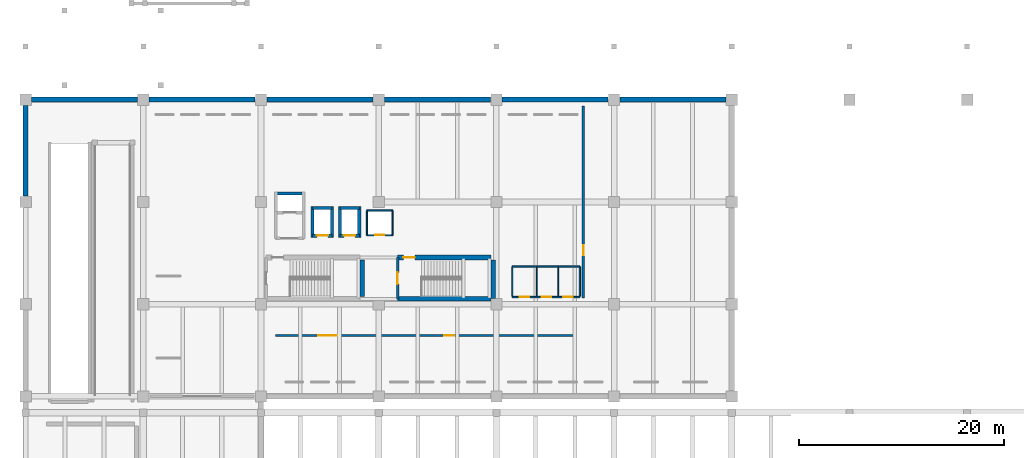
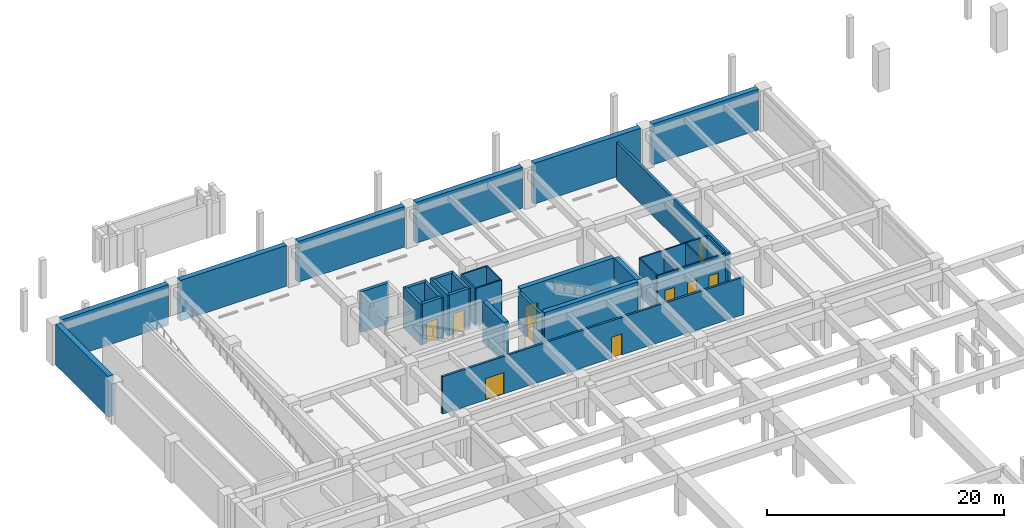
# One storey, part 12 of 20: 33 walls, 11 doors, 11 openings.
"""IFC4 building model written with IfcOpenShell, lengths in metres."""

from ifc_helpers import new_model, si_unit, direction, frame, frame_2d, origin, place, context, subcontext, project, spatial, rectangle, extrude, material, layer, layer_set, type_object, element, fill, save


model = new_model("IFC4")

# Units and contexts
model_context = context("Model", 3, precision=1e-05, world=origin(), true_north=direction((0.0, 1.0)))
body_context = subcontext(model_context, "Body", "Model", "MODEL_VIEW")
ifc_project = project(units=[si_unit("LENGTHUNIT", "METRE"), si_unit("AREAUNIT", "SQUARE_METRE"), si_unit("VOLUMEUNIT", "CUBIC_METRE"), si_unit("PLANEANGLEUNIT", "RADIAN"), si_unit("MASSUNIT", "GRAM", prefix="KILO")], contexts=[model_context])

# Site, building, storey
site_placement = place(None, origin())
site = spatial("IfcSite", under=ifc_project, at=site_placement, CompositionType="ELEMENT")
building_placement = place(site_placement, origin())
building = spatial("IfcBuilding", under=site, at=building_placement, Name="Ologun Quay Terminus", CompositionType="ELEMENT")
storey_placement = place(building_placement, frame((0.0, 0.0, -4.199951171875)))
storey = spatial("IfcBuildingStorey", under=building, at=storey_placement, Name="B01", CompositionType="ELEMENT", Elevation=-4.199951171875)

# Walls
ifc_material_1 = material(Name="Concrete C35/45", Category="concrete")
ifc_layer_1 = layer(ifc_material_1, 0.5)
ifc_layer_set_1 = layer_set([ifc_layer_1], Name="Concrete C35/45")
wall_type_1 = type_object("IfcWallType", Name="Basement Perimeter Retaining Wall 500", PredefinedType="SHEAR", material=ifc_layer_set_1)
wall_1_placement = place(storey_placement, frame((0.0, 105.3701171875, 0.0), z_axis=(0.0, 0.0, 1.0), x_axis=(0.0, 1.0, 0.0)))
element("IfcWall", 1, at=wall_1_placement, inside=storey, type_object=wall_type_1, Name="Retaining Wall WG-Y8 B01", PredefinedType="SHEAR", context=body_context, shape_type="SweptSolid", body=[
    extrude(rectangle(XDim=8.85986328125, YDim=0.5, at=frame_2d((4.429931640625, 0.0))), origin(), (0.0, 0.0, 1.0), 4.199951171875),
])
for number, where, z_axis, x_axis, name in (
    (2, (0.570068359375, 114.800048828125, 0.0), (0.0, 0.0, 1.0), (1.0, 0.0, 0.0), "Retaining Wall NW-1 B01"),
    (3, (12.070068359375, 114.800048828125, 0.0), (0.0, 0.0, 1.0), (1.0, 0.0, 0.0), "Retaining Wall NW-2 B01"),
    (4, (23.570068359375, 114.800048828125, 0.0), (0.0, 0.0, 1.0), (1.0, 0.0, 0.0), "Retaining Wall NW-3 B01"),
    (5, (35.070068359375, 114.800048828125, 0.0), (0.0, 0.0, 1.0), (1.0, 0.0, 0.0), "Retaining Wall NW-4 B01"),
    (6, (46.570068359375, 114.800048828125, 0.0), (0.0, 0.0, 1.0), (1.0, 0.0, 0.0), "Retaining Wall NW-5 B01"),
    (7, (58.070068359375, 114.800048828125, 0.0), (0.0, 0.0, 1.0), (1.0, 0.0, 0.0), "Retaining Wall NW-6 B01"),
):
    element("IfcWall", number, at=place(storey_placement, frame(where, z_axis=z_axis, x_axis=x_axis)), inside=storey, type_object=wall_type_1, Name=name, PredefinedType="SHEAR", context=body_context, shape_type="SweptSolid", body=[
        extrude(rectangle(XDim=10.35986328125, YDim=0.5, at=frame_2d((5.179931640625, 0.0))), origin(), (0.0, 0.0, 1.0), 4.199951171875),
    ])

# Wall, openings, doors
ifc_material_2 = material(Name="Concrete C40/50", Category="concrete")
ifc_layer_2 = layer(ifc_material_2, 0.199951171875)
ifc_layer_set_2 = layer_set([ifc_layer_2], Name="Concrete C40/50")
wall_type_2 = type_object("IfcWallType", Name="Corridor Fire-Rated Partition 200", PredefinedType="PARTITIONING", material=ifc_layer_set_2)
wall_2_placement = place(storey_placement, frame((24.39990234375, 91.75, 0.0), z_axis=(0.0, 0.0, 1.0), x_axis=(1.0, 0.0, 0.0)))
wall_2 = element("IfcWall", 8, at=wall_2_placement, inside=storey, type_object=wall_type_2, Name="PW-02 Partition WCor-S", PredefinedType="PARTITIONING", context=body_context, shape_type="SweptSolid", body=[
    extrude(rectangle(XDim=29.400146484375, YDim=0.199951171875, at=frame_2d((14.7001953125, 0.0))), origin(), (0.0, 0.0, 1.0), 3.85986328125),
])
opening_1_placement = place(wall_2_placement, frame((4.199951171875, 0.0, 0.0)))
opening_1 = element("IfcOpeningElement", 9, at=opening_1_placement, cuts=wall_2, Name="Opening ID-086", PredefinedType="OPENING", context=body_context, shape_type="SweptSolid", body=[
    extrude(rectangle(XDim=1.800048828125, YDim=2.199951171875, at=frame_2d((0.89990234375, 1.10009765625))), frame((0.0, 0.10986328125, 0.0), z_axis=(0.0, -1.0, 0.0), x_axis=(1.0, 0.0, 0.0)), (0.0, 0.0, 1.0), 0.219970703125),
])
opening_2_placement = place(wall_2_placement, frame((16.5, 0.0, 0.0)))
opening_2 = element("IfcOpeningElement", 10, at=opening_2_placement, cuts=wall_2, Name="Opening ID-087", PredefinedType="OPENING", context=body_context, shape_type="SweptSolid", body=[
    extrude(rectangle(XDim=0.97998046875, YDim=2.14990234375, at=frame_2d((0.489990234375, 1.074951171875))), frame((0.0, 0.10986328125, 0.0), z_axis=(0.0, -1.0, 0.0), x_axis=(1.0, 0.0, 0.0)), (0.0, 0.0, 1.0), 0.219970703125),
])
ifc_material_3 = material(Name="Steel S355", Category="steel")
door_type_1 = type_object("IfcDoorType", Name="Corridor Compartment Pair 1800x2200", OperationType="DOUBLE_DOOR_SINGLE_SWING", PredefinedType="DOOR", material=ifc_material_3)
door_1_placement = place(opening_1_placement, origin())
door_1 = element("IfcDoor", 11, at=door_1_placement, inside=storey, type_object=door_type_1, Name="FD-03 Door ID-086", OperationType="DOUBLE_DOOR_SINGLE_SWING", OverallHeight=2.199951171875, OverallWidth=1.800048828125, PredefinedType="DOOR", context=body_context, shape_type="SweptSolid", body=[
    extrude(rectangle(XDim=1.800048828125, YDim=2.199951171875, at=frame_2d((0.89990234375, 1.10009765625))), frame((0.0, 0.02490234375, 0.0), z_axis=(0.0, -1.0, 0.0), x_axis=(1.0, 0.0, 0.0)), (0.0, 0.0, 1.0), 0.050048828125),
])
fill(opening_1, door_1)
ifc_material_4 = material(Name="Timber Hardwood", Category="wood")
door_type_2 = type_object("IfcDoorType", Name="Operations Room Acoustic Leaf 980x2150", OperationType="SINGLE_SWING_LEFT", PredefinedType="DOOR", material=ifc_material_4)
door_2_placement = place(opening_2_placement, origin())
door_2 = element("IfcDoor", 12, at=door_2_placement, inside=storey, type_object=door_type_2, Name="ID-01 Door ID-087", OperationType="SINGLE_SWING_LEFT", OverallHeight=2.14990234375, OverallWidth=0.97998046875, PredefinedType="DOOR", context=body_context, shape_type="SweptSolid", body=[
    extrude(rectangle(XDim=0.97998046875, YDim=2.14990234375, at=frame_2d((0.489990234375, 1.074951171875))), frame((0.0, 0.02490234375, 0.0), z_axis=(0.0, -1.0, 0.0), x_axis=(1.0, 0.0, 0.0)), (0.0, 0.0, 1.0), 0.050048828125),
])
fill(opening_2, door_2)

# Walls
ifc_material_5 = material(Name="Concrete C45/55", Category="concrete")
ifc_layer_3 = layer(ifc_material_5, 0.449951171875)
ifc_layer_set_3 = layer_set([ifc_layer_3], Name="Concrete C45/55")
wall_type_3 = type_object("IfcWallType", Name="Coupled Wing Primary Core Shear Wall 450", PredefinedType="SHEAR", material=ifc_layer_set_3)
wall_3_placement = place(storey_placement, frame((32.875, 95.550048828125, 0.0), z_axis=(0.0, 0.0, 1.0), x_axis=(0.0, 1.0, 0.0)))
element("IfcWall", 13, at=wall_3_placement, inside=storey, type_object=wall_type_3, Name="WC1 Core East Shear Wall B01", PredefinedType="SHEAR", context=body_context, shape_type="SweptSolid", body=[
    extrude(rectangle(XDim=3.599853515625, YDim=0.449951171875, at=frame_2d((1.7998046875, 0.0))), origin(), (0.0, 0.0, 1.0), 4.199951171875),
])
wall_4_placement = place(storey_placement, frame((36.35009765625, 95.324951171875, 0.0), z_axis=(0.0, 0.0, 1.0), x_axis=(1.0, 0.0, 0.0)))
element("IfcWall", 14, at=wall_4_placement, inside=storey, type_object=wall_type_3, Name="WC2 Core South Shear Wall B01", PredefinedType="SHEAR", context=body_context, shape_type="SweptSolid", body=[
    extrude(rectangle(XDim=9.099853515625, YDim=0.449951171875, at=frame_2d((4.5498046875, 0.0))), origin(), (0.0, 0.0, 1.0), 4.199951171875),
])

# Wall, opening, door
wall_5_placement = place(storey_placement, frame((36.35009765625, 99.375, 0.0), z_axis=(0.0, 0.0, 1.0), x_axis=(1.0, 0.0, 0.0)))
wall_5 = element("IfcWall", 15, at=wall_5_placement, inside=storey, type_object=wall_type_3, Name="WC2 Core North Shear Wall B01", PredefinedType="SHEAR", context=body_context, shape_type="SweptSolid", body=[
    extrude(rectangle(XDim=9.099853515625, YDim=0.449951171875, at=frame_2d((4.5498046875, 0.0))), origin(), (0.0, 0.0, 1.0), 4.199951171875),
])
opening_3_placement = place(wall_5_placement, frame((0.550048828125, 0.0, 0.0)))
opening_3 = element("IfcOpeningElement", 16, at=opening_3_placement, cuts=wall_5, Name="Opening ID-080", PredefinedType="OPENING", context=body_context, shape_type="SweptSolid", body=[
    extrude(rectangle(XDim=1.1298828125, YDim=2.14990234375, at=frame_2d((0.56494140625, 1.074951171875))), frame((0.0, 0.23486328125, 0.0), z_axis=(0.0, -1.0, 0.0), x_axis=(1.0, 0.0, 0.0)), (0.0, 0.0, 1.0), 0.469970703125),
])
ifc_material_6 = material(Name="Steel S355", Category="steel")
door_type_3 = type_object("IfcDoorType", Name="Stairwell Fire Escape Door 1130x2150", OperationType="SINGLE_SWING_LEFT", PredefinedType="DOOR", material=ifc_material_6)
door_3_placement = place(opening_3_placement, frame((0.56494140625, 0.0, 0.0), z_axis=(0.0, 0.0, 1.0), x_axis=(-1.0, 0.0, 0.0)))
door_3 = element("IfcDoor", 17, at=door_3_placement, inside=storey, type_object=door_type_3, Name="FD-01 Door ID-080", OperationType="SINGLE_SWING_LEFT", OverallHeight=2.14990234375, OverallWidth=1.1298828125, PredefinedType="DOOR", context=body_context, shape_type="SweptSolid", body=[
    extrude(rectangle(XDim=1.1298828125, YDim=2.14990234375, at=frame_2d((0.0, 1.074951171875))), frame((0.0, 0.02490234375, 0.0), z_axis=(0.0, -1.0, 0.0), x_axis=(1.0, 0.0, 0.0)), (0.0, 0.0, 1.0), 0.050048828125),
])
fill(opening_3, door_3)

# Wall
wall_6_placement = place(storey_placement, frame((45.675048828125, 95.3701171875, 0.0), z_axis=(0.0, 0.0, 1.0), x_axis=(0.0, 1.0, 0.0)))
element("IfcWall", 18, at=wall_6_placement, inside=storey, type_object=wall_type_3, Name="WC2 Core East Shear Wall B01", PredefinedType="SHEAR", context=body_context, shape_type="SweptSolid", body=[
    extrude(rectangle(XDim=3.77978515625, YDim=0.449951171875, at=frame_2d((1.889892578125, 0.0))), origin(), (0.0, 0.0, 1.0), 4.199951171875),
])

# Wall, opening, door
ifc_material_7 = material(Name="Concrete C40/50", Category="concrete")
ifc_layer_4 = layer(ifc_material_7, 0.239990234375)
ifc_layer_set_4 = layer_set([ifc_layer_4], Name="Concrete C40/50")
wall_type_4 = type_object("IfcWallType", Name="Fire Compartment Blockwork Wall 240", PredefinedType="SOLIDWALL", material=ifc_layer_set_4)
wall_7_placement = place(storey_placement, frame((36.35009765625, 95.330078125, 0.0), z_axis=(0.0, 0.0, 1.0), x_axis=(0.0, 1.0, 0.0)))
wall_7 = element("IfcWall", 19, at=wall_7_placement, inside=storey, type_object=wall_type_4, Name="PW-01 Partition WStair2-W", PredefinedType="SOLIDWALL", context=body_context, shape_type="SweptSolid", body=[
    extrude(rectangle(XDim=4.0400390625, YDim=0.239990234375, at=frame_2d((2.02001953125, 0.0))), origin(), (0.0, 0.0, 1.0), 3.85986328125),
])
opening_4_placement = place(wall_7_placement, frame((1.449951171875, 0.0, 0.0)))
opening_4 = element("IfcOpeningElement", 20, at=opening_4_placement, cuts=wall_7, Name="Opening ID-079", PredefinedType="OPENING", context=body_context, shape_type="SweptSolid", body=[
    extrude(rectangle(XDim=1.1298828125, YDim=2.14990234375, at=frame_2d((0.56494140625, 1.074951171875))), frame((0.0, 0.1298828125, 0.0), z_axis=(0.0, -1.0, 0.0), x_axis=(1.0, 0.0, 0.0)), (0.0, 0.0, 1.0), 0.260009765625),
])
door_4_placement = place(opening_4_placement, frame((0.56494140625, 0.0, 0.0), z_axis=(0.0, 0.0, 1.0), x_axis=(-1.0, 0.0, 0.0)))
door_4 = element("IfcDoor", 21, at=door_4_placement, inside=storey, type_object=door_type_3, Name="FD-01 Door ID-079", OperationType="SINGLE_SWING_LEFT", OverallHeight=2.14990234375, OverallWidth=1.1298828125, PredefinedType="DOOR", context=body_context, shape_type="SweptSolid", body=[
    extrude(rectangle(XDim=1.1298828125, YDim=2.14990234375, at=frame_2d((0.0, 1.074951171875))), frame((0.0, 0.02490234375, 0.0), z_axis=(0.0, -1.0, 0.0), x_axis=(1.0, 0.0, 0.0)), (0.0, 0.0, 1.0), 0.050048828125),
])
fill(opening_4, door_4)

wall_8_placement = place(storey_placement, frame((54.5, 95.39990234375, 0.0), z_axis=(0.0, 0.0, 1.0), x_axis=(0.0, 1.0, 0.0)))
wall_8 = element("IfcWall", 22, at=wall_8_placement, inside=storey, type_object=wall_type_4, Name="PW-01 Partition B01-Store-W", PredefinedType="SOLIDWALL", context=body_context, shape_type="SweptSolid", body=[
    extrude(rectangle(XDim=18.800048828125, YDim=0.239990234375, at=frame_2d((9.39990234375, 0.0))), origin(), (0.0, 0.0, 1.0), 3.85986328125),
])
opening_5_placement = place(wall_8_placement, frame((4.199951171875, 0.0, 0.0)))
opening_5 = element("IfcOpeningElement", 23, at=opening_5_placement, cuts=wall_8, Name="Opening ID-293", PredefinedType="OPENING", context=body_context, shape_type="SweptSolid", body=[
    extrude(rectangle(XDim=0.9599609375, YDim=2.10009765625, at=frame_2d((0.47998046875, 1.050048828125))), frame((0.0, 0.1298828125, 0.0), z_axis=(0.0, -1.0, 0.0), x_axis=(1.0, 0.0, 0.0)), (0.0, 0.0, 1.0), 0.260009765625),
])
ifc_material_8 = material(Name="Timber Hardwood", Category="wood")
door_type_4 = type_object("IfcDoorType", Name="Store & Pantry Service Door 960x2100", OperationType="SINGLE_SWING_RIGHT", PredefinedType="DOOR", material=ifc_material_8)
door_5_placement = place(opening_5_placement, origin())
door_5 = element("IfcDoor", 24, at=door_5_placement, inside=storey, type_object=door_type_4, Name="ID-18 Door ID-293", OperationType="SINGLE_SWING_RIGHT", OverallHeight=2.10009765625, OverallWidth=0.9599609375, PredefinedType="DOOR", context=body_context, shape_type="SweptSolid", body=[
    extrude(rectangle(XDim=0.9599609375, YDim=2.10009765625, at=frame_2d((0.47998046875, 1.050048828125))), frame((0.0, 0.02490234375, 0.0), z_axis=(0.0, -1.0, 0.0), x_axis=(1.0, 0.0, 0.0)), (0.0, 0.0, 1.0), 0.050048828125),
])
fill(opening_5, door_5)

# Wall
ifc_material_9 = material(Name="Concrete C40/50", Category="concrete")
ifc_layer_5 = layer(ifc_material_9, 0.300048828125)
ifc_layer_set_5 = layer_set([ifc_layer_5], Name="Concrete C40/50")
wall_type_5 = type_object("IfcWallType", Name="Lift Shaft Structural Shear Wall 300", PredefinedType="SHEAR", material=ifc_layer_set_5)
wall_9_placement = place(storey_placement, frame((24.449951171875, 105.6201171875, 0.0), z_axis=(0.0, 0.0, 1.0), x_axis=(1.0, 0.0, 0.0)))
element("IfcWall", 25, at=wall_9_placement, inside=storey, type_object=wall_type_5, Name="Lift FFL-01 Shaft Wall N B01", PredefinedType="SHEAR", context=body_context, shape_type="SweptSolid", body=[
    extrude(rectangle(XDim=2.699951171875, YDim=0.300048828125, at=frame_2d((1.35009765625, 0.0))), origin(), (0.0, 0.0, 1.0), 4.199951171875),
])

# Wall, opening, door
wall_10_placement = place(storey_placement, frame((28.050048828125, 101.5, 0.0), z_axis=(0.0, 0.0, 1.0), x_axis=(1.0, 0.0, 0.0)))
wall_10 = element("IfcWall", 26, at=wall_10_placement, inside=storey, type_object=wall_type_5, Name="Lift PL-W1 Shaft Wall S B01", PredefinedType="SHEAR", context=body_context, shape_type="SweptSolid", body=[
    extrude(rectangle(XDim=1.89990234375, YDim=0.300048828125, at=frame_2d((0.949951171875, 0.0))), origin(), (0.0, 0.0, 1.0), 4.199951171875),
])
opening_6_placement = place(wall_10_placement, frame((0.39990234375, 0.0, 0.0)))
opening_6 = element("IfcOpeningElement", 27, at=opening_6_placement, cuts=wall_10, Name="Opening ID-017", PredefinedType="OPENING", context=body_context, shape_type="SweptSolid", body=[
    extrude(rectangle(XDim=1.10009765625, YDim=2.14990234375, at=frame_2d((0.550048828125, 1.074951171875))), frame((0.0, 0.16015625, 0.0), z_axis=(0.0, -1.0, 0.0), x_axis=(1.0, 0.0, 0.0)), (0.0, 0.0, 1.0), 0.320068359375),
])
ifc_material_10 = material(Name="Steel S355", Category="steel")
door_type_5 = type_object("IfcDoorType", Name="Lift Landing Sliding Door 1100x2150", OperationType="SLIDING_TO_LEFT", PredefinedType="DOOR", material=ifc_material_10)
door_6_placement = place(opening_6_placement, origin())
door_6 = element("IfcDoor", 28, at=door_6_placement, inside=storey, type_object=door_type_5, Name="LD-01 Door ID-017", OperationType="SLIDING_TO_LEFT", OverallHeight=2.14990234375, OverallWidth=1.10009765625, PredefinedType="DOOR", context=body_context, shape_type="SweptSolid", body=[
    extrude(rectangle(XDim=1.10009765625, YDim=2.14990234375, at=frame_2d((0.550048828125, 1.074951171875))), frame((0.0, 0.02490234375, 0.0), z_axis=(0.0, -1.0, 0.0), x_axis=(1.0, 0.0, 0.0)), (0.0, 0.0, 1.0), 0.050048828125),
])
fill(opening_6, door_6)

# Walls
wall_11_placement = place(storey_placement, frame((28.050048828125, 104.199951171875, 0.0), z_axis=(0.0, 0.0, 1.0), x_axis=(1.0, 0.0, 0.0)))
element("IfcWall", 29, at=wall_11_placement, inside=storey, type_object=wall_type_5, Name="Lift PL-W1 Shaft Wall N B01", PredefinedType="SHEAR", context=body_context, shape_type="SweptSolid", body=[
    extrude(rectangle(XDim=1.89990234375, YDim=0.300048828125, at=frame_2d((0.949951171875, 0.0))), origin(), (0.0, 0.0, 1.0), 4.199951171875),
])
for number, where, z_axis, x_axis, name in (
    (30, (28.050048828125, 101.35009765625, 0.0), (0.0, 0.0, 1.0), (0.0, 1.0, 0.0), "Lift PL-W1 Shaft Wall W B01"),
    (31, (29.949951171875, 101.35009765625, 0.0), (0.0, 0.0, 1.0), (0.0, 1.0, 0.0), "Lift PL-W1 Shaft Wall E B01"),
):
    element("IfcWall", number, at=place(storey_placement, frame(where, z_axis=z_axis, x_axis=x_axis)), inside=storey, type_object=wall_type_5, Name=name, PredefinedType="SHEAR", context=body_context, shape_type="SweptSolid", body=[
        extrude(rectangle(XDim=3.0, YDim=0.300048828125, at=frame_2d((1.5, 0.0))), origin(), (0.0, 0.0, 1.0), 4.199951171875),
    ])

# Wall, opening, door
wall_12_placement = place(storey_placement, frame((30.699951171875, 101.5, 0.0), z_axis=(0.0, 0.0, 1.0), x_axis=(1.0, 0.0, 0.0)))
wall_12 = element("IfcWall", 32, at=wall_12_placement, inside=storey, type_object=wall_type_5, Name="Lift PL-W2 Shaft Wall S B01", PredefinedType="SHEAR", context=body_context, shape_type="SweptSolid", body=[
    extrude(rectangle(XDim=1.900146484375, YDim=0.300048828125, at=frame_2d((0.9501953125, 0.0))), origin(), (0.0, 0.0, 1.0), 4.199951171875),
])
opening_7_placement = place(wall_12_placement, frame((0.39990234375, 0.0, 0.0)))
opening_7 = element("IfcOpeningElement", 33, at=opening_7_placement, cuts=wall_12, Name="Opening ID-024", PredefinedType="OPENING", context=body_context, shape_type="SweptSolid", body=[
    extrude(rectangle(XDim=1.10009765625, YDim=2.14990234375, at=frame_2d((0.550048828125, 1.074951171875))), frame((0.0, 0.16015625, 0.0), z_axis=(0.0, -1.0, 0.0), x_axis=(1.0, 0.0, 0.0)), (0.0, 0.0, 1.0), 0.320068359375),
])
door_7_placement = place(opening_7_placement, origin())
door_7 = element("IfcDoor", 34, at=door_7_placement, inside=storey, type_object=door_type_5, Name="LD-01 Door ID-024", OperationType="SLIDING_TO_LEFT", OverallHeight=2.14990234375, OverallWidth=1.10009765625, PredefinedType="DOOR", context=body_context, shape_type="SweptSolid", body=[
    extrude(rectangle(XDim=1.10009765625, YDim=2.14990234375, at=frame_2d((0.550048828125, 1.074951171875))), frame((0.0, 0.02490234375, 0.0), z_axis=(0.0, -1.0, 0.0), x_axis=(1.0, 0.0, 0.0)), (0.0, 0.0, 1.0), 0.050048828125),
])
fill(opening_7, door_7)

# Walls
wall_13_placement = place(storey_placement, frame((30.699951171875, 104.199951171875, 0.0), z_axis=(0.0, 0.0, 1.0), x_axis=(1.0, 0.0, 0.0)))
element("IfcWall", 35, at=wall_13_placement, inside=storey, type_object=wall_type_5, Name="Lift PL-W2 Shaft Wall N B01", PredefinedType="SHEAR", context=body_context, shape_type="SweptSolid", body=[
    extrude(rectangle(XDim=1.900146484375, YDim=0.300048828125, at=frame_2d((0.9501953125, 0.0))), origin(), (0.0, 0.0, 1.0), 4.199951171875),
])
for number, where, z_axis, x_axis, name in (
    (36, (30.699951171875, 101.35009765625, 0.0), (0.0, 0.0, 1.0), (0.0, 1.0, 0.0), "Lift PL-W2 Shaft Wall W B01"),
    (37, (32.60009765625, 101.35009765625, 0.0), (0.0, 0.0, 1.0), (0.0, 1.0, 0.0), "Lift PL-W2 Shaft Wall E B01"),
):
    element("IfcWall", number, at=place(storey_placement, frame(where, z_axis=z_axis, x_axis=x_axis)), inside=storey, type_object=wall_type_5, Name=name, PredefinedType="SHEAR", context=body_context, shape_type="SweptSolid", body=[
        extrude(rectangle(XDim=3.0, YDim=0.300048828125, at=frame_2d((1.5, 0.0))), origin(), (0.0, 0.0, 1.0), 4.199951171875),
    ])
ifc_material_11 = material(Name="Gypsum Acoustic Stud")
ifc_layer_6 = layer(ifc_material_11, 0.10498046875)
ifc_layer_set_6 = layer_set([ifc_layer_6], Name="Gypsum Acoustic Stud")
wall_type_6 = type_object("IfcWallType", Name="Light Cubicle Partition 105", PredefinedType="PARTITIONING", material=ifc_layer_set_6)
wall_14_placement = place(storey_placement, frame((49.949951171875, 95.60009765625, 0.0), z_axis=(0.0, 0.0, 1.0), x_axis=(0.0, 1.0, 0.0)))
element("IfcWall", 38, at=wall_14_placement, inside=storey, type_object=wall_type_6, Name="PW-13 Partition WWC-D1", PredefinedType="PARTITIONING", context=body_context, shape_type="SweptSolid", body=[
    extrude(rectangle(XDim=2.849853515625, YDim=0.10498046875, at=frame_2d((1.4248046875, 0.0))), origin(), (0.0, 0.0, 1.0), 3.329833984375),
])
wall_15_placement = place(storey_placement, frame((52.050048828125, 95.60009765625, 0.0), z_axis=(0.0, 0.0, 1.0), x_axis=(0.0, 1.0, 0.0)))
element("IfcWall", 39, at=wall_15_placement, inside=storey, type_object=wall_type_6, Name="PW-13 Partition WWC-D2", PredefinedType="PARTITIONING", context=body_context, shape_type="SweptSolid", body=[
    extrude(rectangle(XDim=2.849853515625, YDim=0.10498046875, at=frame_2d((1.4248046875, 0.0))), origin(), (0.0, 0.0, 1.0), 3.85986328125),
])

# Wall, opening, door
ifc_material_12 = material(Name="Concrete C40/50", Category="concrete")
ifc_layer_7 = layer(ifc_material_12, 0.1298828125)
ifc_layer_set_7 = layer_set([ifc_layer_7], Name="Concrete C40/50")
wall_type_7 = type_object("IfcWallType", Name="Riser & Service Duct Wall 130", PredefinedType="PLUMBINGWALL", material=ifc_layer_set_7)
wall_16_placement = place(storey_placement, frame((33.35009765625, 101.550048828125, 0.0), z_axis=(0.0, 0.0, 1.0), x_axis=(1.0, 0.0, 0.0)))
wall_16 = element("IfcWall", 40, at=wall_16_placement, inside=storey, type_object=wall_type_7, Name="PW-07 Partition WRiser-S", PredefinedType="PLUMBINGWALL", context=body_context, shape_type="SweptSolid", body=[
    extrude(rectangle(XDim=2.5, YDim=0.1298828125, at=frame_2d((1.25, 0.0))), origin(), (0.0, 0.0, 1.0), 3.85986328125),
])
opening_8_placement = place(wall_16_placement, frame((0.820068359375, 0.0, 0.0)))
opening_8 = element("IfcOpeningElement", 41, at=opening_8_placement, cuts=wall_16, Name="Opening ID-082", PredefinedType="OPENING", context=body_context, shape_type="SweptSolid", body=[
    extrude(rectangle(XDim=0.85009765625, YDim=2.0, at=frame_2d((0.425048828125, 1.0))), frame((0.0, 0.074951171875, 0.0), z_axis=(0.0, -1.0, 0.0), x_axis=(1.0, 0.0, 0.0)), (0.0, 0.0, 1.0), 0.14990234375),
])
ifc_material_13 = material(Name="Steel S355", Category="steel")
door_type_6 = type_object("IfcDoorType", Name="MEP Riser Access Trapdoor 850x2000", OperationType="SINGLE_SWING_LEFT", PredefinedType="TRAPDOOR", material=ifc_material_13)
door_8_placement = place(opening_8_placement, origin())
door_8 = element("IfcDoor", 42, at=door_8_placement, inside=storey, type_object=door_type_6, Name="RD-01 Door ID-082", OperationType="SINGLE_SWING_LEFT", OverallHeight=2.0, OverallWidth=0.85009765625, PredefinedType="TRAPDOOR", context=body_context, shape_type="SweptSolid", body=[
    extrude(rectangle(XDim=0.85009765625, YDim=2.0, at=frame_2d((0.425048828125, 1.0))), frame((0.0, 0.02490234375, 0.0), z_axis=(0.0, -1.0, 0.0), x_axis=(1.0, 0.0, 0.0)), (0.0, 0.0, 1.0), 0.050048828125),
])
fill(opening_8, door_8)

# Walls
for number, where, z_axis, x_axis, name in (
    (43, (33.35009765625, 101.550048828125, 0.0), (0.0, 0.0, 1.0), (0.0, 1.0, 0.0), "PW-07 Partition WRiser-W"),
    (44, (35.85009765625, 101.550048828125, 0.0), (0.0, 0.0, 1.0), (0.0, 1.0, 0.0), "PW-07 Partition WRiser-E"),
):
    element("IfcWall", number, at=place(storey_placement, frame(where, z_axis=z_axis, x_axis=x_axis)), inside=storey, type_object=wall_type_7, Name=name, PredefinedType="PLUMBINGWALL", context=body_context, shape_type="SweptSolid", body=[
        extrude(rectangle(XDim=2.39990234375, YDim=0.1298828125, at=frame_2d((1.199951171875, 0.0))), origin(), (0.0, 0.0, 1.0), 3.85986328125),
    ])
wall_17_placement = place(storey_placement, frame((33.35009765625, 103.949951171875, 0.0), z_axis=(0.0, 0.0, 1.0), x_axis=(1.0, 0.0, 0.0)))
element("IfcWall", 45, at=wall_17_placement, inside=storey, type_object=wall_type_7, Name="PW-07 Partition WRiser-N", PredefinedType="PLUMBINGWALL", context=body_context, shape_type="SweptSolid", body=[
    extrude(rectangle(XDim=2.5, YDim=0.1298828125, at=frame_2d((1.25, 0.0))), origin(), (0.0, 0.0, 1.0), 3.85986328125),
])

# Wall, openings, doors
ifc_material_14 = material(Name="Concrete C40/50", Category="concrete")
ifc_layer_8 = layer(ifc_material_14, 0.139892578125)
ifc_layer_set_8 = layer_set([ifc_layer_8], Name="Concrete C40/50")
wall_type_8 = type_object("IfcWallType", Name="Sanitary Wet-Area Blockwork Wall 140", PredefinedType="PLUMBINGWALL", material=ifc_layer_set_8)
wall_18_placement = place(storey_placement, frame((47.550048828125, 95.5, 0.0), z_axis=(0.0, 0.0, 1.0), x_axis=(1.0, 0.0, 0.0)))
wall_18 = element("IfcWall", 46, at=wall_18_placement, inside=storey, type_object=wall_type_8, Name="PW-06 Partition WWC-S", PredefinedType="PLUMBINGWALL", context=body_context, shape_type="SweptSolid", body=[
    extrude(rectangle(XDim=6.599853515625, YDim=0.139892578125, at=frame_2d((3.2998046875, 0.0))), origin(), (0.0, 0.0, 1.0), 3.85986328125),
])
opening_9_placement = place(wall_18_placement, frame((0.719970703125, 0.0, 0.0)))
opening_9 = element("IfcOpeningElement", 47, at=opening_9_placement, cuts=wall_18, Name="Opening ID-083", PredefinedType="OPENING", context=body_context, shape_type="SweptSolid", body=[
    extrude(rectangle(XDim=0.949951171875, YDim=2.10009765625, at=frame_2d((0.47509765625, 1.050048828125))), frame((0.0, 0.080078125, 0.0), z_axis=(0.0, -1.0, 0.0), x_axis=(1.0, 0.0, 0.0)), (0.0, 0.0, 1.0), 0.159912109375),
])
opening_10_placement = place(wall_18_placement, frame((2.89990234375, 0.0, 0.0)))
opening_10 = element("IfcOpeningElement", 48, at=opening_10_placement, cuts=wall_18, Name="Opening ID-084", PredefinedType="OPENING", context=body_context, shape_type="SweptSolid", body=[
    extrude(rectangle(XDim=0.919921875, YDim=2.10009765625, at=frame_2d((0.4599609375, 1.050048828125))), frame((0.0, 0.080078125, 0.0), z_axis=(0.0, -1.0, 0.0), x_axis=(1.0, 0.0, 0.0)), (0.0, 0.0, 1.0), 0.159912109375),
])
opening_11_placement = place(wall_18_placement, frame((5.0, 0.0, 0.0)))
opening_11 = element("IfcOpeningElement", 49, at=opening_11_placement, cuts=wall_18, Name="Opening ID-085", PredefinedType="OPENING", context=body_context, shape_type="SweptSolid", body=[
    extrude(rectangle(XDim=0.919921875, YDim=2.10009765625, at=frame_2d((0.4599609375, 1.050048828125))), frame((0.0, 0.080078125, 0.0), z_axis=(0.0, -1.0, 0.0), x_axis=(1.0, 0.0, 0.0)), (0.0, 0.0, 1.0), 0.159912109375),
])
ifc_material_15 = material(Name="Timber Hardwood", Category="wood")
door_type_7 = type_object("IfcDoorType", Name="Accessible WC Outward-Swing Door 950x2100", OperationType="SINGLE_SWING_LEFT", PredefinedType="DOOR", material=ifc_material_15)
door_9_placement = place(opening_9_placement, frame((0.47509765625, 0.0, 0.0), z_axis=(0.0, 0.0, 1.0), x_axis=(-1.0, 0.0, 0.0)))
door_9 = element("IfcDoor", 50, at=door_9_placement, inside=storey, type_object=door_type_7, Name="ID-04 Door ID-083", OperationType="SINGLE_SWING_LEFT", OverallHeight=2.10009765625, OverallWidth=0.949951171875, PredefinedType="DOOR", context=body_context, shape_type="SweptSolid", body=[
    extrude(rectangle(XDim=0.949951171875, YDim=2.10009765625, at=frame_2d((0.0, 1.050048828125))), frame((0.0, 0.02490234375, 0.0), z_axis=(0.0, -1.0, 0.0), x_axis=(1.0, 0.0, 0.0)), (0.0, 0.0, 1.0), 0.050048828125),
])
fill(opening_9, door_9)
ifc_material_16 = material(Name="Timber Hardwood", Category="wood")
door_type_8 = type_object("IfcDoorType", Name="Sanitary Block Entrance Door 920x2100", OperationType="SINGLE_SWING_RIGHT", PredefinedType="DOOR", material=ifc_material_16)
door_10_placement = place(opening_10_placement, origin())
door_10 = element("IfcDoor", 51, at=door_10_placement, inside=storey, type_object=door_type_8, Name="ID-05 Door ID-084", OperationType="SINGLE_SWING_RIGHT", OverallHeight=2.10009765625, OverallWidth=0.919921875, PredefinedType="DOOR", context=body_context, shape_type="SweptSolid", body=[
    extrude(rectangle(XDim=0.919921875, YDim=2.10009765625, at=frame_2d((0.4599609375, 1.050048828125))), frame((0.0, 0.02490234375, 0.0), z_axis=(0.0, -1.0, 0.0), x_axis=(1.0, 0.0, 0.0)), (0.0, 0.0, 1.0), 0.050048828125),
])
fill(opening_10, door_10)
door_11_placement = place(opening_11_placement, origin())
door_11 = element("IfcDoor", 52, at=door_11_placement, inside=storey, type_object=door_type_8, Name="ID-05 Door ID-085", OperationType="SINGLE_SWING_RIGHT", OverallHeight=2.10009765625, OverallWidth=0.919921875, PredefinedType="DOOR", context=body_context, shape_type="SweptSolid", body=[
    extrude(rectangle(XDim=0.919921875, YDim=2.10009765625, at=frame_2d((0.4599609375, 1.050048828125))), frame((0.0, 0.02490234375, 0.0), z_axis=(0.0, -1.0, 0.0), x_axis=(1.0, 0.0, 0.0)), (0.0, 0.0, 1.0), 0.050048828125),
])
fill(opening_11, door_11)

# Walls
for number, where, z_axis, x_axis, name in (
    (53, (47.550048828125, 95.60009765625, 0.0), (0.0, 0.0, 1.0), (0.0, 1.0, 0.0), "PW-06 Partition WWC-W"),
    (54, (54.14990234375, 95.60009765625, 0.0), (0.0, 0.0, 1.0), (0.0, 1.0, 0.0), "PW-06 Partition WWC-E"),
):
    element("IfcWall", number, at=place(storey_placement, frame(where, z_axis=z_axis, x_axis=x_axis)), inside=storey, type_object=wall_type_8, Name=name, PredefinedType="PLUMBINGWALL", context=body_context, shape_type="SweptSolid", body=[
        extrude(rectangle(XDim=2.849853515625, YDim=0.139892578125, at=frame_2d((1.4248046875, 0.0))), origin(), (0.0, 0.0, 1.0), 3.85986328125),
    ])
wall_19_placement = place(storey_placement, frame((47.550048828125, 98.5, 0.0), z_axis=(0.0, 0.0, 1.0), x_axis=(1.0, 0.0, 0.0)))
element("IfcWall", 55, at=wall_19_placement, inside=storey, type_object=wall_type_8, Name="PW-06 Partition WWC-N", PredefinedType="PLUMBINGWALL", context=body_context, shape_type="SweptSolid", body=[
    extrude(rectangle(XDim=6.599853515625, YDim=0.139892578125, at=frame_2d((3.2998046875, 0.0))), origin(), (0.0, 0.0, 1.0), 3.85986328125),
])

save(model, "model.ifc")
